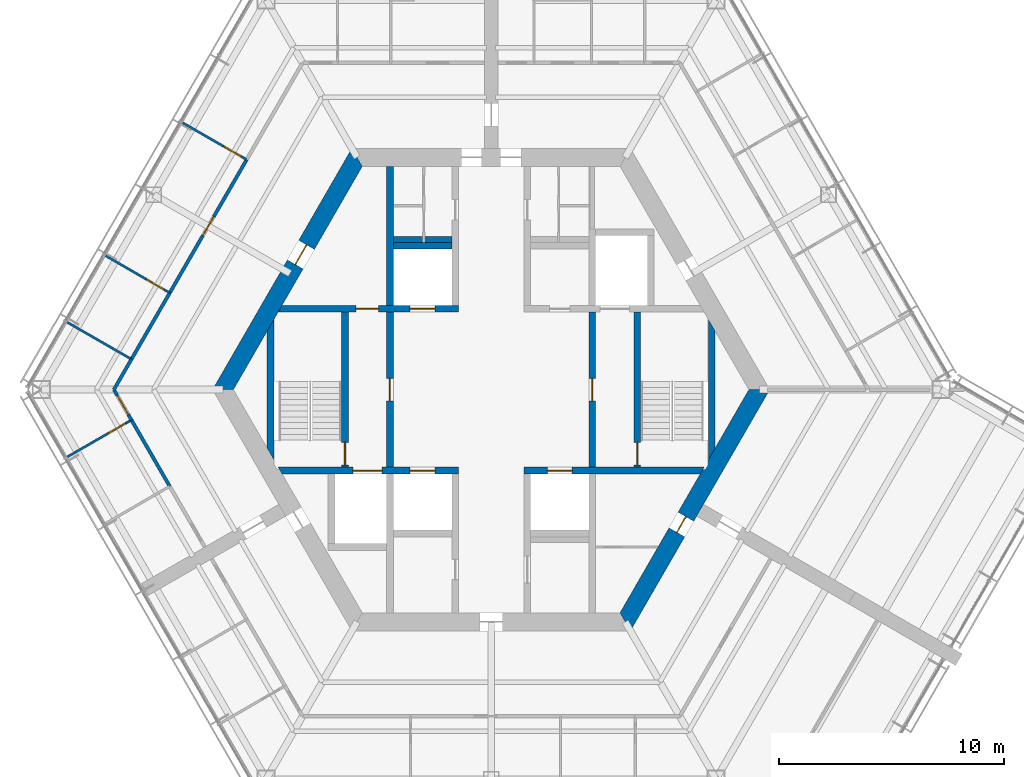
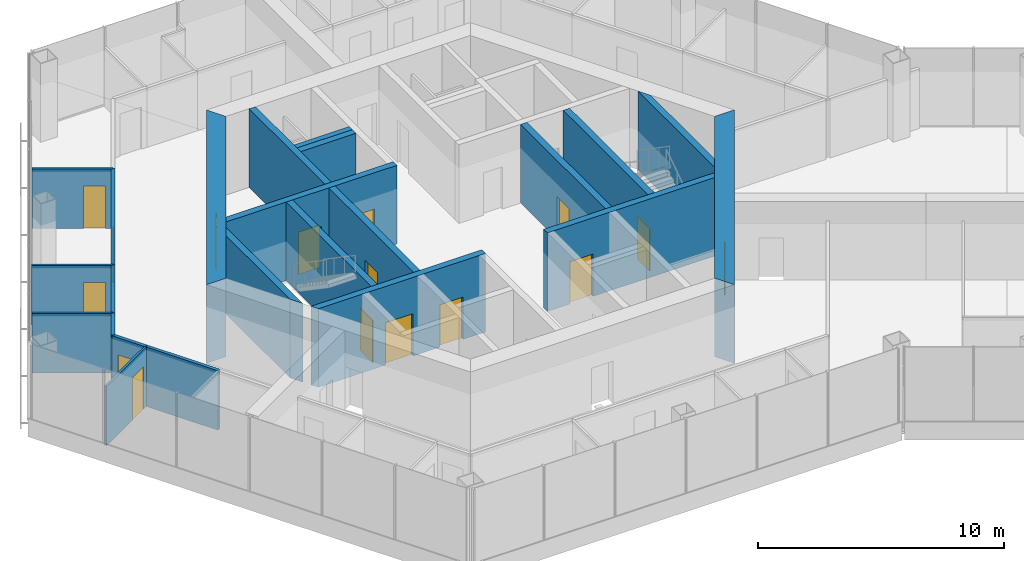
# One storey, part 8 of 13: 23 walls, 16 doors, 16 openings.
"""IFC4 building model written with IfcOpenShell, lengths in metres."""

from ifc_helpers import new_model, si_unit, direction, frame, frame_2d, origin, place, context, subcontext, project, spatial, polyline, rectangle, outline, extrude, material, layer, layer_set, type_object, element, fill, save


model = new_model("IFC4")

# Units and contexts
model_context = context("Model", 3, precision=1e-05, world=origin(), true_north=direction((0.0, 1.0)))
body_context = subcontext(model_context, "Body", "Model", "MODEL_VIEW")
ifc_project = project(units=[si_unit("LENGTHUNIT", "METRE"), si_unit("AREAUNIT", "SQUARE_METRE"), si_unit("VOLUMEUNIT", "CUBIC_METRE"), si_unit("PLANEANGLEUNIT", "RADIAN"), si_unit("MASSUNIT", "GRAM", prefix="KILO")], contexts=[model_context])

# Site, building, storey
site_placement = place(None, origin())
site = spatial("IfcSite", under=ifc_project, at=site_placement, CompositionType="ELEMENT")
building_placement = place(site_placement, origin())
building = spatial("IfcBuilding", under=site, at=building_placement, Name="Kasaneha Research Tower", CompositionType="ELEMENT")
storey_placement = place(building_placement, frame((0.0, 0.0, 294.699951171875)))
storey = spatial("IfcBuildingStorey", under=building, at=storey_placement, Name="L74", CompositionType="ELEMENT", Elevation=294.699951171875)

# Wall, openings, doors
ifc_material_1 = material(Name="Concrete Fc60", Category="concrete")
ifc_layer_1 = layer(ifc_material_1, 0.300048828125)
ifc_layer_set_1 = layer_set([ifc_layer_1], Name="Core internal wall 300 Fc60")
wall_type_1 = type_object("IfcWallType", Name="Core internal wall 300 Fc60", PredefinedType="SHEAR", material=ifc_layer_set_1)
wall_1_placement = place(storey_placement, frame((-9.3818359375, 3.60009765625, 0.0), z_axis=(0.0, 0.0, 1.0), x_axis=(1.0, 0.0, 0.0)))
wall_1 = element("IfcWall", 1, at=wall_1_placement, inside=storey, type_object=wall_type_1, Name="Core wall W1W L74", PredefinedType="SHEAR", context=body_context, shape_type="SweptSolid", body=[
    extrude(outline(polyline([(-0.086669921875, -0.14990234375), (3.3818359375, -0.14990234375), (4.3818359375, -0.14990234375), (5.781982421875, -0.14990234375), (6.882080078125, -0.14990234375), (7.931884765625, -0.14990234375), (7.931884765625, 0.14990234375), (6.882080078125, 0.14990234375), (5.781982421875, 0.14990234375), (4.3818359375, 0.14990234375), (3.3818359375, 0.14990234375), (0.086669921875, 0.14990234375), (-0.086669921875, -0.14990234375)])), origin(), (0.0, 0.0, 1.0), 3.900146484375),
])
opening_1_placement = place(wall_1_placement, frame((3.3818359375, 0.0, 0.0)))
opening_1 = element("IfcOpeningElement", 2, at=opening_1_placement, cuts=wall_1, Name="Opening L74-D12", PredefinedType="OPENING", context=body_context, shape_type="SweptSolid", body=[
    extrude(rectangle(XDim=1.0, YDim=2.10009765625, at=frame_2d((0.5, 1.050048828125))), frame((0.0, 0.16015625, 0.0), z_axis=(0.0, -1.0, 0.0), x_axis=(1.0, 0.0, 0.0)), (0.0, 0.0, 1.0), 0.320068359375),
])
opening_2_placement = place(wall_1_placement, frame((5.781982421875, 0.0, 0.0)))
opening_2 = element("IfcOpeningElement", 3, at=opening_2_placement, cuts=wall_1, Name="Opening LD-LH2-L74", PredefinedType="OPENING", context=body_context, shape_type="SweptSolid", body=[
    extrude(rectangle(XDim=1.10009765625, YDim=2.10009765625, at=frame_2d((0.550048828125, 1.050048828125))), frame((0.0, 0.16015625, 0.0), z_axis=(0.0, -1.0, 0.0), x_axis=(1.0, 0.0, 0.0)), (0.0, 0.0, 1.0), 0.320068359375),
])
ifc_material_2 = material(Name="Steel", Category="steel")
door_type_1 = type_object("IfcDoorType", Name="Lift landing door 1100x2100", OperationType="DOUBLE_DOOR_SLIDING", PredefinedType="DOOR", material=ifc_material_2)
door_1_placement = place(opening_2_placement, origin())
door_1 = element("IfcDoor", 4, at=door_1_placement, inside=storey, type_object=door_type_1, Name="Landing door LH2 LD-LH2-L74", OperationType="DOUBLE_DOOR_SLIDING", OverallHeight=2.10009765625, OverallWidth=1.10009765625, PredefinedType="DOOR", context=body_context, shape_type="SweptSolid", body=[
    extrude(rectangle(XDim=1.10009765625, YDim=2.10009765625, at=frame_2d((0.550048828125, 1.050048828125))), frame((0.0, 0.02490234375, 0.0), z_axis=(0.0, -1.0, 0.0), x_axis=(1.0, 0.0, 0.0)), (0.0, 0.0, 1.0), 0.050048828125),
])
fill(opening_2, door_1)
ifc_material_3 = material(Name="Steel", Category="steel")
door_type_2 = type_object("IfcDoorType", Name="Specified fire door FD60 1000x2100", OperationType="NOTDEFINED", PredefinedType="DOOR", material=ifc_material_3)
door_2_placement = place(opening_1_placement, origin())
door_2 = element("IfcDoor", 5, at=door_2_placement, inside=storey, type_object=door_type_2, Name="Vestibule to lobby door L74-D12", OperationType="SINGLE_SWING_LEFT", OverallHeight=2.10009765625, OverallWidth=1.0, PredefinedType="DOOR", context=body_context, shape_type="SweptSolid", body=[
    extrude(rectangle(XDim=1.0, YDim=2.10009765625, at=frame_2d((0.5, 1.050048828125))), frame((0.0, 0.02490234375, 0.0), z_axis=(0.0, -1.0, 0.0), x_axis=(1.0, 0.0, 0.0)), (0.0, 0.0, 1.0), 0.050048828125),
])
fill(opening_1, door_2)

wall_2_placement = place(storey_placement, frame((-9.3818359375, -3.60009765625, 0.0), z_axis=(0.0, 0.0, 1.0), x_axis=(1.0, 0.0, 0.0)))
wall_2 = element("IfcWall", 6, at=wall_2_placement, inside=storey, type_object=wall_type_1, Name="Core wall W2W L74", PredefinedType="SHEAR", context=body_context, shape_type="SweptSolid", body=[
    extrude(outline(polyline([(0.086669921875, -0.14990234375), (3.23193359375, -0.14990234375), (4.531982421875, -0.14990234375), (5.781982421875, -0.14990234375), (6.882080078125, -0.14990234375), (7.931884765625, -0.14990234375), (7.931884765625, 0.14990234375), (6.882080078125, 0.14990234375), (5.781982421875, 0.14990234375), (4.531982421875, 0.14990234375), (3.23193359375, 0.14990234375), (-0.086669921875, 0.14990234375), (0.086669921875, -0.14990234375)])), origin(), (0.0, 0.0, 1.0), 3.900146484375),
])
opening_3_placement = place(wall_2_placement, frame((5.781982421875, 0.0, 0.0)))
opening_3 = element("IfcOpeningElement", 7, at=opening_3_placement, cuts=wall_2, Name="Opening LD-LH1-L74", PredefinedType="OPENING", context=body_context, shape_type="SweptSolid", body=[
    extrude(rectangle(XDim=1.10009765625, YDim=2.10009765625, at=frame_2d((0.550048828125, 1.050048828125))), frame((0.0, 0.16015625, 0.0), z_axis=(0.0, -1.0, 0.0), x_axis=(1.0, 0.0, 0.0)), (0.0, 0.0, 1.0), 0.320068359375),
])
opening_4_placement = place(wall_2_placement, frame((3.23193359375, 0.0, 0.0)))
opening_4 = element("IfcOpeningElement", 8, at=opening_4_placement, cuts=wall_2, Name="Opening LD-FL2-L74", PredefinedType="OPENING", context=body_context, shape_type="SweptSolid", body=[
    extrude(rectangle(XDim=1.300048828125, YDim=2.10009765625, at=frame_2d((0.64990234375, 1.050048828125))), frame((0.0, 0.16015625, 0.0), z_axis=(0.0, -1.0, 0.0), x_axis=(1.0, 0.0, 0.0)), (0.0, 0.0, 1.0), 0.320068359375),
])
door_3_placement = place(opening_3_placement, origin())
door_3 = element("IfcDoor", 9, at=door_3_placement, inside=storey, type_object=door_type_1, Name="Landing door LH1 LD-LH1-L74", OperationType="DOUBLE_DOOR_SLIDING", OverallHeight=2.10009765625, OverallWidth=1.10009765625, PredefinedType="DOOR", context=body_context, shape_type="SweptSolid", body=[
    extrude(rectangle(XDim=1.10009765625, YDim=2.10009765625, at=frame_2d((0.550048828125, 1.050048828125))), frame((0.0, 0.02490234375, 0.0), z_axis=(0.0, -1.0, 0.0), x_axis=(1.0, 0.0, 0.0)), (0.0, 0.0, 1.0), 0.050048828125),
])
fill(opening_3, door_3)
ifc_material_4 = material(Name="Steel", Category="steel")
door_type_3 = type_object("IfcDoorType", Name="Lift landing door 1300x2100", OperationType="DOUBLE_DOOR_SLIDING", PredefinedType="DOOR", material=ifc_material_4)
door_4_placement = place(opening_4_placement, origin())
door_4 = element("IfcDoor", 10, at=door_4_placement, inside=storey, type_object=door_type_3, Name="Landing door FL2 LD-FL2-L74", OperationType="DOUBLE_DOOR_SLIDING", OverallHeight=2.10009765625, OverallWidth=1.300048828125, PredefinedType="DOOR", context=body_context, shape_type="SweptSolid", body=[
    extrude(rectangle(XDim=1.300048828125, YDim=2.10009765625, at=frame_2d((0.64990234375, 1.050048828125))), frame((0.0, 0.02490234375, 0.0), z_axis=(0.0, -1.0, 0.0), x_axis=(1.0, 0.0, 0.0)), (0.0, 0.0, 1.0), 0.050048828125),
])
fill(opening_4, door_4)

# Wall, opening, door
wall_3_placement = place(storey_placement, frame((1.449951171875, -3.60009765625, 0.0), z_axis=(0.0, 0.0, 1.0), x_axis=(1.0, 0.0, 0.0)))
wall_3 = element("IfcWall", 11, at=wall_3_placement, inside=storey, type_object=wall_type_1, Name="Core wall W2E L74", PredefinedType="SHEAR", context=body_context, shape_type="SweptSolid", body=[
    extrude(outline(polyline([(0.0, -0.14990234375), (1.050048828125, -0.14990234375), (2.150146484375, -0.14990234375), (7.84521484375, -0.14990234375), (8.0185546875, 0.14990234375), (2.150146484375, 0.14990234375), (1.050048828125, 0.14990234375), (0.0, 0.14990234375), (0.0, -0.14990234375)])), origin(), (0.0, 0.0, 1.0), 3.900146484375),
])
opening_5_placement = place(wall_3_placement, frame((1.050048828125, 0.0, 0.0)))
opening_5 = element("IfcOpeningElement", 12, at=opening_5_placement, cuts=wall_3, Name="Opening LD-LH3-L74", PredefinedType="OPENING", context=body_context, shape_type="SweptSolid", body=[
    extrude(rectangle(XDim=1.10009765625, YDim=2.10009765625, at=frame_2d((0.550048828125, 1.050048828125))), frame((0.0, 0.16015625, 0.0), z_axis=(0.0, -1.0, 0.0), x_axis=(1.0, 0.0, 0.0)), (0.0, 0.0, 1.0), 0.320068359375),
])
door_5_placement = place(opening_5_placement, origin())
door_5 = element("IfcDoor", 13, at=door_5_placement, inside=storey, type_object=door_type_1, Name="Landing door LH3 LD-LH3-L74", OperationType="DOUBLE_DOOR_SLIDING", OverallHeight=2.10009765625, OverallWidth=1.10009765625, PredefinedType="DOOR", context=body_context, shape_type="SweptSolid", body=[
    extrude(rectangle(XDim=1.10009765625, YDim=2.10009765625, at=frame_2d((0.550048828125, 1.050048828125))), frame((0.0, 0.02490234375, 0.0), z_axis=(0.0, -1.0, 0.0), x_axis=(1.0, 0.0, 0.0)), (0.0, 0.0, 1.0), 0.050048828125),
])
fill(opening_5, door_5)

wall_4_placement = place(storey_placement, frame((-4.5, -3.449951171875, 0.0), z_axis=(0.0, 0.0, 1.0), x_axis=(0.0, 1.0, 0.0)))
wall_4 = element("IfcWall", 14, at=wall_4_placement, inside=storey, type_object=wall_type_1, Name="Core wall LBW L74", PredefinedType="SHEAR", context=body_context, shape_type="SweptSolid", body=[
    extrude(rectangle(XDim=6.89990234375, YDim=0.300048828125, at=frame_2d((3.449951171875, 0.0))), origin(), (0.0, 0.0, 1.0), 3.900146484375),
])
opening_6_placement = place(wall_4_placement, frame((2.949951171875, 0.0, 0.0)))
opening_6 = element("IfcOpeningElement", 15, at=opening_6_placement, cuts=wall_4, Name="Opening L74-D09", PredefinedType="OPENING", context=body_context, shape_type="SweptSolid", body=[
    extrude(rectangle(XDim=1.0, YDim=2.10009765625, at=frame_2d((0.5, 1.050048828125))), frame((0.0, 0.16015625, 0.0), z_axis=(0.0, -1.0, 0.0), x_axis=(1.0, 0.0, 0.0)), (0.0, 0.0, 1.0), 0.320068359375),
])
door_6_placement = place(opening_6_placement, origin())
door_6 = element("IfcDoor", 16, at=door_6_placement, inside=storey, type_object=door_type_2, Name="Lift lobby door west L74-D09", OperationType="SINGLE_SWING_LEFT", OverallHeight=2.10009765625, OverallWidth=1.0, PredefinedType="DOOR", context=body_context, shape_type="SweptSolid", body=[
    extrude(rectangle(XDim=1.0, YDim=2.10009765625, at=frame_2d((0.5, 1.050048828125))), frame((0.0, 0.02490234375, 0.0), z_axis=(0.0, -1.0, 0.0), x_axis=(1.0, 0.0, 0.0)), (0.0, 0.0, 1.0), 0.050048828125),
])
fill(opening_6, door_6)

wall_5_placement = place(storey_placement, frame((4.5, -3.449951171875, 0.0), z_axis=(0.0, 0.0, 1.0), x_axis=(0.0, 1.0, 0.0)))
wall_5 = element("IfcWall", 17, at=wall_5_placement, inside=storey, type_object=wall_type_1, Name="Core wall LBE L74", PredefinedType="SHEAR", context=body_context, shape_type="SweptSolid", body=[
    extrude(rectangle(XDim=6.89990234375, YDim=0.300048828125, at=frame_2d((3.449951171875, 0.0))), origin(), (0.0, 0.0, 1.0), 3.900146484375),
])
opening_7_placement = place(wall_5_placement, frame((2.949951171875, 0.0, 0.0)))
opening_7 = element("IfcOpeningElement", 18, at=opening_7_placement, cuts=wall_5, Name="Opening L74-D08", PredefinedType="OPENING", context=body_context, shape_type="SweptSolid", body=[
    extrude(rectangle(XDim=1.0, YDim=2.10009765625, at=frame_2d((0.5, 1.050048828125))), frame((0.0, 0.16015625, 0.0), z_axis=(0.0, -1.0, 0.0), x_axis=(1.0, 0.0, 0.0)), (0.0, 0.0, 1.0), 0.320068359375),
])
door_7_placement = place(opening_7_placement, origin())
door_7 = element("IfcDoor", 19, at=door_7_placement, inside=storey, type_object=door_type_2, Name="Lift lobby door east L74-D08", OperationType="SINGLE_SWING_LEFT", OverallHeight=2.10009765625, OverallWidth=1.0, PredefinedType="DOOR", context=body_context, shape_type="SweptSolid", body=[
    extrude(rectangle(XDim=1.0, YDim=2.10009765625, at=frame_2d((0.5, 1.050048828125))), frame((0.0, 0.02490234375, 0.0), z_axis=(0.0, -1.0, 0.0), x_axis=(1.0, 0.0, 0.0)), (0.0, 0.0, 1.0), 0.050048828125),
])
fill(opening_7, door_7)

wall_6_placement = place(storey_placement, frame((-6.5, -3.449951171875, 0.0), z_axis=(0.0, 0.0, 1.0), x_axis=(0.0, 1.0, 0.0)))
wall_6 = element("IfcWall", 20, at=wall_6_placement, inside=storey, type_object=wall_type_1, Name="Core wall ANW L74", PredefinedType="SHEAR", context=body_context, shape_type="SweptSolid", body=[
    extrude(rectangle(XDim=6.89990234375, YDim=0.300048828125, at=frame_2d((3.449951171875, 0.0))), origin(), (0.0, 0.0, 1.0), 3.900146484375),
])
opening_8_placement = place(wall_6_placement, frame((0.10009765625, 0.0, 0.0)))
opening_8 = element("IfcOpeningElement", 21, at=opening_8_placement, cuts=wall_6, Name="Opening L74-D11", PredefinedType="OPENING", context=body_context, shape_type="SweptSolid", body=[
    extrude(rectangle(XDim=1.0, YDim=2.10009765625, at=frame_2d((0.5, 1.050048828125))), frame((0.0, 0.16015625, 0.0), z_axis=(0.0, -1.0, 0.0), x_axis=(1.0, 0.0, 0.0)), (0.0, 0.0, 1.0), 0.320068359375),
])
door_8_placement = place(opening_8_placement, origin())
door_8 = element("IfcDoor", 22, at=door_8_placement, inside=storey, type_object=door_type_2, Name="Stair 2 door L74-D11", OperationType="SINGLE_SWING_LEFT", OverallHeight=2.10009765625, OverallWidth=1.0, PredefinedType="DOOR", context=body_context, shape_type="SweptSolid", body=[
    extrude(rectangle(XDim=1.0, YDim=2.10009765625, at=frame_2d((0.5, 1.050048828125))), frame((0.0, 0.02490234375, 0.0), z_axis=(0.0, -1.0, 0.0), x_axis=(1.0, 0.0, 0.0)), (0.0, 0.0, 1.0), 0.050048828125),
])
fill(opening_8, door_8)

wall_7_placement = place(storey_placement, frame((6.5, -3.449951171875, 0.0), z_axis=(0.0, 0.0, 1.0), x_axis=(0.0, 1.0, 0.0)))
wall_7 = element("IfcWall", 23, at=wall_7_placement, inside=storey, type_object=wall_type_1, Name="Core wall ANE L74", PredefinedType="SHEAR", context=body_context, shape_type="SweptSolid", body=[
    extrude(rectangle(XDim=6.89990234375, YDim=0.300048828125, at=frame_2d((3.449951171875, 0.0))), origin(), (0.0, 0.0, 1.0), 3.900146484375),
])
opening_9_placement = place(wall_7_placement, frame((0.10009765625, 0.0, 0.0)))
opening_9 = element("IfcOpeningElement", 24, at=opening_9_placement, cuts=wall_7, Name="Opening L74-D10", PredefinedType="OPENING", context=body_context, shape_type="SweptSolid", body=[
    extrude(rectangle(XDim=1.0, YDim=2.10009765625, at=frame_2d((0.5, 1.050048828125))), frame((0.0, 0.16015625, 0.0), z_axis=(0.0, -1.0, 0.0), x_axis=(1.0, 0.0, 0.0)), (0.0, 0.0, 1.0), 0.320068359375),
])
door_9_placement = place(opening_9_placement, origin())
door_9 = element("IfcDoor", 25, at=door_9_placement, inside=storey, type_object=door_type_2, Name="Stair 1 door L74-D10", OperationType="SINGLE_SWING_LEFT", OverallHeight=2.10009765625, OverallWidth=1.0, PredefinedType="DOOR", context=body_context, shape_type="SweptSolid", body=[
    extrude(rectangle(XDim=1.0, YDim=2.10009765625, at=frame_2d((0.5, 1.050048828125))), frame((0.0, 0.02490234375, 0.0), z_axis=(0.0, -1.0, 0.0), x_axis=(1.0, 0.0, 0.0)), (0.0, 0.0, 1.0), 0.050048828125),
])
fill(opening_9, door_9)

# Walls
wall_8_placement = place(storey_placement, frame((-4.5, 3.75, 0.0), z_axis=(0.0, 0.0, 1.0), x_axis=(0.0, 1.0, 0.0)))
element("IfcWall", 26, at=wall_8_placement, inside=storey, type_object=wall_type_1, Name="Core wall VNW L74", PredefinedType="SHEAR", context=body_context, shape_type="SweptSolid", body=[
    extrude(rectangle(XDim=6.175048828125, YDim=0.300048828125, at=frame_2d((3.08740234375, 0.0))), origin(), (0.0, 0.0, 1.0), 3.900146484375),
])
wall_9_placement = place(storey_placement, frame((-4.35009765625, 6.39990234375, 0.0), z_axis=(0.0, 0.0, 1.0), x_axis=(1.0, 0.0, 0.0)))
element("IfcWall", 27, at=wall_9_placement, inside=storey, type_object=wall_type_1, Name="Core wall N1N L74", PredefinedType="SHEAR", context=body_context, shape_type="SweptSolid", body=[
    extrude(rectangle(XDim=2.60009765625, YDim=0.300048828125, at=frame_2d((1.300048828125, 0.0))), origin(), (0.0, 0.0, 1.0), 3.900146484375),
])
wall_10_placement = place(storey_placement, frame((9.807861328125, -2.8623046875, 0.0), z_axis=(0.0, 0.0, 1.0), x_axis=(0.0, 1.0, 0.0)))
element("IfcWall", 28, at=wall_10_placement, inside=storey, type_object=wall_type_1, Name="Core wall STE L74", PredefinedType="SHEAR", context=body_context, shape_type="SweptSolid", body=[
    extrude(outline(polyline([(0.259765625, -0.14990234375), (5.46484375, -0.14990234375), (5.984375, 0.14990234375), (-0.259765625, 0.14990234375), (0.259765625, -0.14990234375)])), origin(), (0.0, 0.0, 1.0), 3.900146484375),
])
wall_11_placement = place(storey_placement, frame((-9.807861328125, -2.8623046875, 0.0), z_axis=(0.0, 0.0, 1.0), x_axis=(0.0, 1.0, 0.0)))
element("IfcWall", 29, at=wall_11_placement, inside=storey, type_object=wall_type_1, Name="Core wall STW L74", PredefinedType="SHEAR", context=body_context, shape_type="SweptSolid", body=[
    extrude(outline(polyline([(-0.259765625, -0.14990234375), (5.984375, -0.14990234375), (5.46484375, 0.14990234375), (0.259765625, 0.14990234375), (-0.259765625, -0.14990234375)])), origin(), (0.0, 0.0, 1.0), 3.900146484375),
])

# Wall, opening, door
ifc_material_5 = material(Name="Concrete Fc60", Category="concrete")
ifc_layer_2 = layer(ifc_material_5, 0.800048828125)
ifc_layer_set_2 = layer_set([ifc_layer_2], Name="Core wall 800 Fc60")
wall_type_2 = type_object("IfcWallType", Name="Core wall 800 Fc60", PredefinedType="SHEAR", material=ifc_layer_set_2)
wall_12_placement = place(storey_placement, frame((-5.961181640625, 10.324951171875, 0.0), z_axis=(0.0, 0.0, 1.0), x_axis=(-0.500004296715, -0.866022923061, 0.0)))
wall_12 = element("IfcWall", 30, at=wall_12_placement, inside=storey, type_object=wall_type_2, Name="Core wall 150 L74", PredefinedType="SHEAR", context=body_context, shape_type="SweptSolid", body=[
    extrude(outline(polyline([(-0.23095703125, -0.39990234375), (4.494140625, -0.39990234375), (5.494140625, -0.39990234375), (12.1533203125, -0.39990234375), (11.69140625, 0.39990234375), (5.494140625, 0.39990234375), (4.494140625, 0.39990234375), (0.23095703125, 0.39990234375), (-0.23095703125, -0.39990234375)])), origin(), (0.0, 0.0, 1.0), 3.900146484375),
])
opening_10_placement = place(wall_12_placement, frame((4.494140625, 0.0, 0.0)))
opening_10 = element("IfcOpeningElement", 31, at=opening_10_placement, cuts=wall_12, Name="Opening L74-D07", PredefinedType="OPENING", context=body_context, shape_type="SweptSolid", body=[
    extrude(rectangle(XDim=1.0, YDim=2.10009765625, at=frame_2d((0.5, 1.050048828125))), frame((0.0, 0.41015625, 0.0), z_axis=(0.0, -1.0, 0.0), x_axis=(1.0, 0.0, 0.0)), (0.0, 0.0, 1.0), 0.820068359375),
])
ifc_material_6 = material(Name="Steel", Category="steel")
door_type_4 = type_object("IfcDoorType", Name="Fire door FD20 1000x2100", OperationType="NOTDEFINED", PredefinedType="DOOR", material=ifc_material_6)
door_10_placement = place(opening_10_placement, origin())
door_10 = element("IfcDoor", 32, at=door_10_placement, inside=storey, type_object=door_type_4, Name="Vestibule door L74-D07", OperationType="SINGLE_SWING_LEFT", OverallHeight=2.10009765625, OverallWidth=1.0, PredefinedType="DOOR", context=body_context, shape_type="SweptSolid", body=[
    extrude(rectangle(XDim=1.0, YDim=2.10009765625, at=frame_2d((0.5, 1.050048828125))), frame((0.0, 0.02490234375, 0.0), z_axis=(0.0, -1.0, 0.0), x_axis=(1.0, 0.0, 0.0)), (0.0, 0.0, 1.0), 0.050048828125),
])
fill(opening_10, door_10)

wall_13_placement = place(storey_placement, frame((5.961181640625, -10.324951171875, 0.0), z_axis=(0.0, 0.0, 1.0), x_axis=(0.500004296715, 0.866022923061, 0.0)))
wall_13 = element("IfcWall", 33, at=wall_13_placement, inside=storey, type_object=wall_type_2, Name="Core wall 330 L74", PredefinedType="SHEAR", context=body_context, shape_type="SweptSolid", body=[
    extrude(outline(polyline([(-0.23095703125, -0.39990234375), (4.593994140625, -0.39990234375), (5.39404296875, -0.39990234375), (12.1533203125, -0.39990234375), (11.69140625, 0.39990234375), (5.39404296875, 0.39990234375), (4.593994140625, 0.39990234375), (0.23095703125, 0.39990234375), (-0.23095703125, -0.39990234375)])), origin(), (0.0, 0.0, 1.0), 3.900146484375),
])
opening_11_placement = place(wall_13_placement, frame((4.593994140625, 0.0, 0.0)))
opening_11 = element("IfcOpeningElement", 34, at=opening_11_placement, cuts=wall_13, Name="Opening L74-D05", PredefinedType="OPENING", context=body_context, shape_type="SweptSolid", body=[
    extrude(rectangle(XDim=0.800048828125, YDim=2.10009765625, at=frame_2d((0.39990234375, 1.050048828125))), frame((0.0, 0.41015625, 0.0), z_axis=(0.0, -1.0, 0.0), x_axis=(1.0, 0.0, 0.0)), (0.0, 0.0, 1.0), 0.820068359375),
])
ifc_material_7 = material(Name="Steel", Category="steel")
door_type_5 = type_object("IfcDoorType", Name="Riser access door FD60 800x2100", OperationType="NOTDEFINED", PredefinedType="DOOR", material=ifc_material_7)
door_11_placement = place(opening_11_placement, origin())
door_11 = element("IfcDoor", 35, at=door_11_placement, inside=storey, type_object=door_type_5, Name="Pipe riser door L74-D05", OperationType="SINGLE_SWING_LEFT", OverallHeight=2.10009765625, OverallWidth=0.800048828125, PredefinedType="DOOR", context=body_context, shape_type="SweptSolid", body=[
    extrude(rectangle(XDim=0.800048828125, YDim=2.10009765625, at=frame_2d((0.39990234375, 1.050048828125))), frame((0.0, 0.02490234375, 0.0), z_axis=(0.0, -1.0, 0.0), x_axis=(1.0, 0.0, 0.0)), (0.0, 0.0, 1.0), 0.050048828125),
])
fill(opening_11, door_11)

ifc_material_8 = material(Name="Gypsum board on steel studs, one layer each side", Category="steel")
ifc_layer_3 = layer(ifc_material_8, 0.10009765625)
ifc_layer_set_3 = layer_set([ifc_layer_3], Name="Office partition 100")
wall_type_3 = type_object("IfcWallType", Name="Office partition 100", PredefinedType="PARTITIONING", material=ifc_layer_set_3)
wall_14_placement = place(storey_placement, frame((-10.868896484375, 10.224365234375, 0.0), z_axis=(0.0, 0.0, 1.0), x_axis=(-0.866757761015, 0.498729369218, 0.0)))
wall_14 = element("IfcWall", 36, at=wall_14_placement, inside=storey, type_object=wall_type_3, Name="Office partition FBN08 L74", PredefinedType="PARTITIONING", context=body_context, shape_type="SweptSolid", body=[
    extrude(rectangle(XDim=3.28564453125, YDim=0.10009765625, at=frame_2d((1.642822265625, 0.0))), origin(), (0.0, 0.0, 1.0), 2.949951171875),
])
opening_12_placement = place(wall_14_placement, frame((0.300048828125, 0.0, 0.0)))
opening_12 = element("IfcOpeningElement", 37, at=opening_12_placement, cuts=wall_14, Name="Opening L74-D40", PredefinedType="OPENING", context=body_context, shape_type="SweptSolid", body=[
    extrude(rectangle(XDim=0.89990234375, YDim=2.10009765625, at=frame_2d((0.449951171875, 1.050048828125))), frame((0.0, 0.06005859375, 0.0), z_axis=(0.0, -1.0, 0.0), x_axis=(1.0, 0.0, 0.0)), (0.0, 0.0, 1.0), 0.1201171875),
])
ifc_material_9 = material(Name="Timber veneer", Category="wood")
door_type_6 = type_object("IfcDoorType", Name="Office door 900x2100", OperationType="SINGLE_SWING_LEFT", PredefinedType="DOOR", material=ifc_material_9)
door_12_placement = place(opening_12_placement, origin())
door_12 = element("IfcDoor", 38, at=door_12_placement, inside=storey, type_object=door_type_6, Name="Executive office door L74-D40", OperationType="SINGLE_SWING_LEFT", OverallHeight=2.10009765625, OverallWidth=0.89990234375, PredefinedType="DOOR", context=body_context, shape_type="SweptSolid", body=[
    extrude(rectangle(XDim=0.89990234375, YDim=2.10009765625, at=frame_2d((0.449951171875, 1.050048828125))), frame((0.0, 0.02490234375, 0.0), z_axis=(0.0, -1.0, 0.0), x_axis=(1.0, 0.0, 0.0)), (0.0, 0.0, 1.0), 0.050048828125),
])
fill(opening_12, door_12)

wall_15_placement = place(storey_placement, frame((-17.15380859375, 5.9599609375, 0.0), z_axis=(0.0, 0.0, 1.0), x_axis=(0.865342122637, -0.501181614577, 0.0)))
wall_15 = element("IfcWall", 39, at=wall_15_placement, inside=storey, type_object=wall_type_3, Name="Office partition FBN09 L74", PredefinedType="PARTITIONING", context=body_context, shape_type="SweptSolid", body=[
    extrude(rectangle(XDim=3.310546875, YDim=0.10009765625, at=frame_2d((1.6552734375, 0.0))), origin(), (0.0, 0.0, 1.0), 2.949951171875),
])
opening_13_placement = place(wall_15_placement, frame((2.110595703125, 0.0, 0.0)))
opening_13 = element("IfcOpeningElement", 40, at=opening_13_placement, cuts=wall_15, Name="Opening L74-D41", PredefinedType="OPENING", context=body_context, shape_type="SweptSolid", body=[
    extrude(rectangle(XDim=0.89990234375, YDim=2.10009765625, at=frame_2d((0.449951171875, 1.050048828125))), frame((0.0, 0.06005859375, 0.0), z_axis=(0.0, -1.0, 0.0), x_axis=(1.0, 0.0, 0.0)), (0.0, 0.0, 1.0), 0.1201171875),
])
door_13_placement = place(opening_13_placement, origin())
door_13 = element("IfcDoor", 41, at=door_13_placement, inside=storey, type_object=door_type_6, Name="Board meeting room door L74-D41", OperationType="SINGLE_SWING_RIGHT", OverallHeight=2.10009765625, OverallWidth=0.89990234375, PredefinedType="DOOR", context=body_context, shape_type="SweptSolid", body=[
    extrude(rectangle(XDim=0.89990234375, YDim=2.10009765625, at=frame_2d((0.449951171875, 1.050048828125))), frame((0.0, 0.02490234375, 0.0), z_axis=(0.0, -1.0, 0.0), x_axis=(1.0, 0.0, 0.0)), (0.0, 0.0, 1.0), 0.050048828125),
])
fill(opening_13, door_13)

# Wall
wall_16_placement = place(storey_placement, frame((-15.9921875, 1.3505859375, 0.0), z_axis=(0.0, 0.0, 1.0), x_axis=(-0.866707153418, 0.498817311462, 0.0)))
element("IfcWall", 42, at=wall_16_placement, inside=storey, type_object=wall_type_3, Name="Office partition FBN10 L74", PredefinedType="PARTITIONING", context=body_context, shape_type="SweptSolid", body=[
    extrude(rectangle(XDim=3.28564453125, YDim=0.10009765625, at=frame_2d((1.642822265625, 0.0))), origin(), (0.0, 0.0, 1.0), 2.949951171875),
])

# Wall, opening, door
wall_17_placement = place(storey_placement, frame((-18.83984375, -2.989501953125, 0.0), z_axis=(0.0, 0.0, 1.0), x_axis=(0.866707153418, 0.498817311462, 0.0)))
wall_17 = element("IfcWall", 43, at=wall_17_placement, inside=storey, type_object=wall_type_3, Name="Office partition FBN12 L74", PredefinedType="PARTITIONING", context=body_context, shape_type="SweptSolid", body=[
    extrude(rectangle(XDim=3.28564453125, YDim=0.10009765625, at=frame_2d((1.642822265625, 0.0))), origin(), (0.0, 0.0, 1.0), 2.949951171875),
])
opening_14_placement = place(wall_17_placement, frame((2.085693359375, 0.0, 0.0)))
opening_14 = element("IfcOpeningElement", 44, at=opening_14_placement, cuts=wall_17, Name="Opening L74-D42", PredefinedType="OPENING", context=body_context, shape_type="SweptSolid", body=[
    extrude(rectangle(XDim=0.89990234375, YDim=2.10009765625, at=frame_2d((0.449951171875, 1.050048828125))), frame((0.0, 0.06005859375, 0.0), z_axis=(0.0, -1.0, 0.0), x_axis=(1.0, 0.0, 0.0)), (0.0, 0.0, 1.0), 0.1201171875),
])
door_14_placement = place(opening_14_placement, origin())
door_14 = element("IfcDoor", 45, at=door_14_placement, inside=storey, type_object=door_type_6, Name="Executive office door L74-D42", OperationType="SINGLE_SWING_RIGHT", OverallHeight=2.10009765625, OverallWidth=0.89990234375, PredefinedType="DOOR", context=body_context, shape_type="SweptSolid", body=[
    extrude(rectangle(XDim=0.89990234375, YDim=2.10009765625, at=frame_2d((0.449951171875, 1.050048828125))), frame((0.0, 0.02490234375, 0.0), z_axis=(0.0, -1.0, 0.0), x_axis=(1.0, 0.0, 0.0)), (0.0, 0.0, 1.0), 0.050048828125),
])
fill(opening_14, door_14)

# Walls
ifc_material_10 = material(Name="Gypsum board on steel studs, two layers each side", Category="steel")
ifc_layer_4 = layer(ifc_material_10, 0.14990234375)
ifc_layer_set_4 = layer_set([ifc_layer_4], Name="Suite partition 150")
wall_type_4 = type_object("IfcWallType", Name="Suite partition 150", PredefinedType="PARTITIONING", material=ifc_layer_set_4)
for number, where, z_axis, x_axis, name in (
    (46, (-15.9970703125, 1.34228515625, 0.0), (0.0, 0.0, 1.0), (0.500032973541, 0.866006365664, 0.0), "Suite partition FBN02 L74"),
    (47, (-14.2841796875, -4.308837890625, 0.0), (0.0, 0.0, 1.0), (-0.500032973541, 0.866006365664, 0.0), "Suite partition FBN03 L74"),
):
    element("IfcWall", number, at=place(storey_placement, frame(where, z_axis=z_axis, x_axis=x_axis)), inside=storey, type_object=wall_type_4, Name=name, PredefinedType="PARTITIONING", context=body_context, shape_type="SweptSolid", body=[
        extrude(rectangle(XDim=3.425537109375, YDim=0.14990234375, at=frame_2d((1.712890625, 0.0))), origin(), (0.0, 0.0, 1.0), 2.949951171875),
    ])

# Wall, opening, door
wall_18_placement = place(storey_placement, frame((-14.2890625, 4.30078125, 0.0), z_axis=(0.0, 0.0, 1.0), x_axis=(0.500020088259, 0.866013805512, 0.0)))
wall_18 = element("IfcWall", 48, at=wall_18_placement, inside=storey, type_object=wall_type_4, Name="Suite partition FBN05 L74", PredefinedType="PARTITIONING", context=body_context, shape_type="SweptSolid", body=[
    extrude(rectangle(XDim=6.840087890625, YDim=0.14990234375, at=frame_2d((3.419921875, 0.0))), origin(), (0.0, 0.0, 1.0), 2.949951171875),
])
opening_15_placement = place(wall_18_placement, frame((2.919921875, 0.0, 0.0)))
opening_15 = element("IfcOpeningElement", 49, at=opening_15_placement, cuts=wall_18, Name="Opening L74-D38", PredefinedType="OPENING", context=body_context, shape_type="SweptSolid", body=[
    extrude(rectangle(XDim=1.0, YDim=2.10009765625, at=frame_2d((0.5, 1.050048828125))), frame((0.0, 0.0849609375, 0.0), z_axis=(0.0, -1.0, 0.0), x_axis=(1.0, 0.0, 0.0)), (0.0, 0.0, 1.0), 0.169921875),
])
ifc_material_11 = material(Name="Steel", Category="steel")
door_type_7 = type_object("IfcDoorType", Name="Suite entrance door FD60 1000x2100", OperationType="NOTDEFINED", PredefinedType="DOOR", material=ifc_material_11)
door_15_placement = place(opening_15_placement, origin())
door_15 = element("IfcDoor", 50, at=door_15_placement, inside=storey, type_object=door_type_7, Name="Suite entrance door L74-D38", OperationType="SINGLE_SWING_RIGHT", OverallHeight=2.10009765625, OverallWidth=1.0, PredefinedType="DOOR", context=body_context, shape_type="SweptSolid", body=[
    extrude(rectangle(XDim=1.0, YDim=2.10009765625, at=frame_2d((0.5, 1.050048828125))), frame((0.0, 0.02490234375, 0.0), z_axis=(0.0, -1.0, 0.0), x_axis=(1.0, 0.0, 0.0)), (0.0, 0.0, 1.0), 0.050048828125),
])
fill(opening_15, door_15)

# Wall
wall_19_placement = place(storey_placement, frame((-16.77197265625, 0.0, 0.0), z_axis=(0.0, 0.0, 1.0), x_axis=(0.500011542666, 0.866018739521, 0.0)))
element("IfcWall", 51, at=wall_19_placement, inside=storey, type_object=wall_type_4, Name="Suite partition FBN06 L74", PredefinedType="PARTITIONING", context=body_context, shape_type="SweptSolid", body=[
    extrude(rectangle(XDim=1.5595703125, YDim=0.14990234375, at=frame_2d((0.77978515625, 0.0))), origin(), (0.0, 0.0, 1.0), 2.949951171875),
])

# Wall, opening, door
wall_20_placement = place(storey_placement, frame((-15.9921875, -1.3505859375, 0.0), z_axis=(0.0, 0.0, 1.0), x_axis=(-0.500011542666, 0.866018739521, 0.0)))
wall_20 = element("IfcWall", 52, at=wall_20_placement, inside=storey, type_object=wall_type_4, Name="Suite partition FBN07 L74", PredefinedType="PARTITIONING", context=body_context, shape_type="SweptSolid", body=[
    extrude(rectangle(XDim=1.5595703125, YDim=0.14990234375, at=frame_2d((0.77978515625, 0.0))), origin(), (0.0, 0.0, 1.0), 2.949951171875),
])
opening_16_placement = place(wall_20_placement, frame((0.27978515625, 0.0, 0.0)))
opening_16 = element("IfcOpeningElement", 53, at=opening_16_placement, cuts=wall_20, Name="Opening L74-D39", PredefinedType="OPENING", context=body_context, shape_type="SweptSolid", body=[
    extrude(rectangle(XDim=1.0, YDim=2.10009765625, at=frame_2d((0.5, 1.050048828125))), frame((0.0, 0.0849609375, 0.0), z_axis=(0.0, -1.0, 0.0), x_axis=(1.0, 0.0, 0.0)), (0.0, 0.0, 1.0), 0.169921875),
])
door_16_placement = place(opening_16_placement, origin())
door_16 = element("IfcDoor", 54, at=door_16_placement, inside=storey, type_object=door_type_7, Name="Suite entrance door L74-D39", OperationType="SINGLE_SWING_LEFT", OverallHeight=2.10009765625, OverallWidth=1.0, PredefinedType="DOOR", context=body_context, shape_type="SweptSolid", body=[
    extrude(rectangle(XDim=1.0, YDim=2.10009765625, at=frame_2d((0.5, 1.050048828125))), frame((0.0, 0.02490234375, 0.0), z_axis=(0.0, -1.0, 0.0), x_axis=(1.0, 0.0, 0.0)), (0.0, 0.0, 1.0), 0.050048828125),
])
fill(opening_16, door_16)

# Wall
ifc_material_12 = material(Name="Concrete block lining", Category="concrete")
ifc_layer_5 = layer(ifc_material_12, 0.25)
ifc_layer_set_5 = layer_set([ifc_layer_5], Name="WC plumbing wall 250")
wall_type_5 = type_object("IfcWallType", Name="WC plumbing wall 250", PredefinedType="PLUMBINGWALL", material=ifc_layer_set_5)
wall_21_placement = place(storey_placement, frame((-4.35009765625, 6.675048828125, 0.0), z_axis=(0.0, 0.0, 1.0), x_axis=(1.0, 0.0, 0.0)))
element("IfcWall", 55, at=wall_21_placement, inside=storey, type_object=wall_type_5, Name="WC plumbing wall M L74", PredefinedType="PLUMBINGWALL", context=body_context, shape_type="SweptSolid", body=[
    extrude(rectangle(XDim=2.60009765625, YDim=0.25, at=frame_2d((1.300048828125, 0.0))), origin(), (0.0, 0.0, 1.0), 3.900146484375),
])

save(model, "model.ifc")
